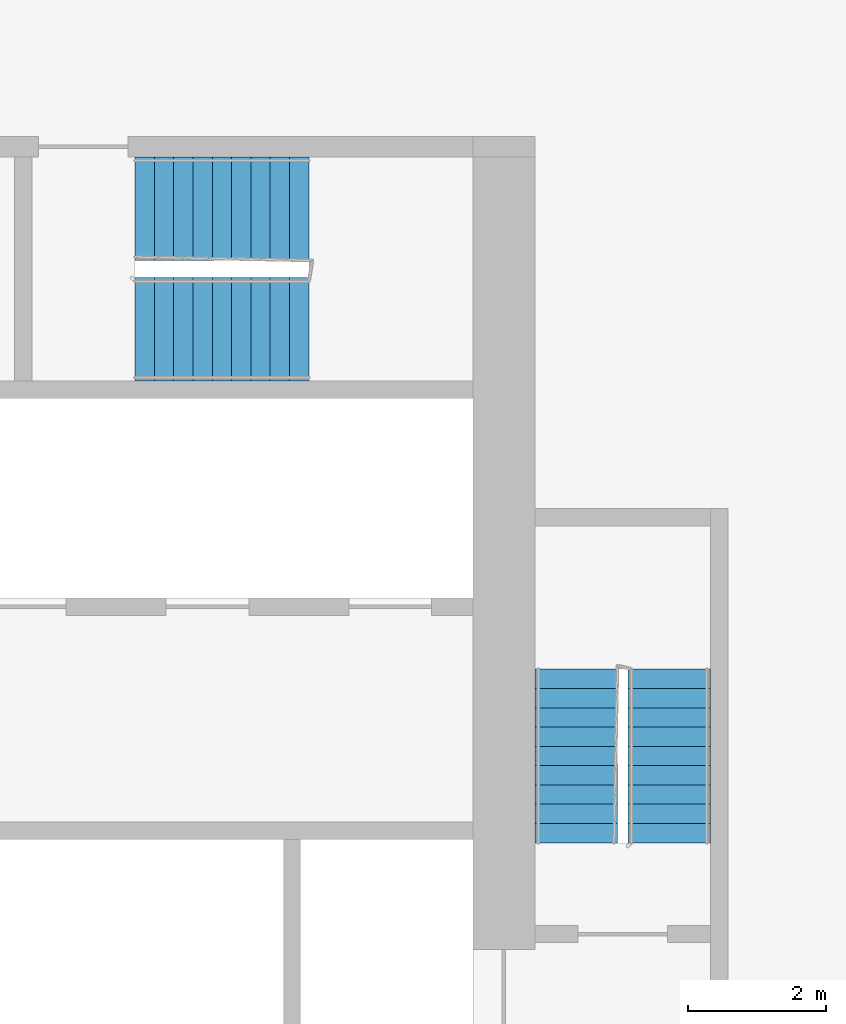
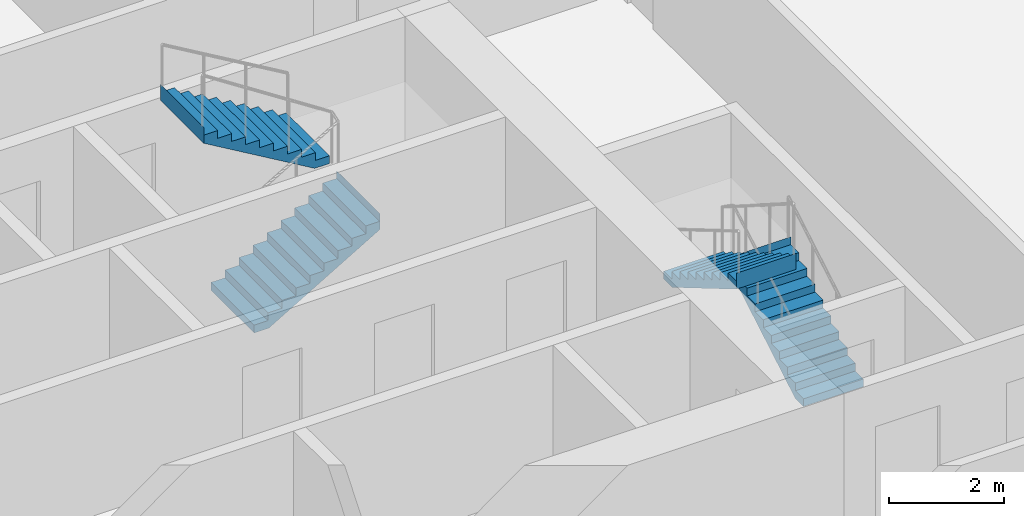
# One storey, part 11 of 12: 4 stair flights, 2 elements without a shape of their own.
"""IFC4 building model written with IfcOpenShell, lengths in metres."""

from ifc_helpers import new_model, si_unit, direction, frame, origin, place, context, subcontext, project, spatial, faceted_brep, material, type_object, element, aggregate, save


model = new_model("IFC4")

# Units and contexts
model_context = context("Model", 3, precision=1e-05, world=origin(), true_north=direction((0.0, 1.0)))
body_context = subcontext(model_context, "Body", "Model", "MODEL_VIEW")
ifc_project = project(units=[si_unit("LENGTHUNIT", "METRE"), si_unit("AREAUNIT", "SQUARE_METRE"), si_unit("VOLUMEUNIT", "CUBIC_METRE"), si_unit("PLANEANGLEUNIT", "RADIAN"), si_unit("MASSUNIT", "GRAM", prefix="KILO")], contexts=[model_context])

# Site, building, storey
site_placement = place(None, origin())
site = spatial("IfcSite", under=ifc_project, at=site_placement, CompositionType="ELEMENT")
building_placement = place(site_placement, origin())
building = spatial("IfcBuilding", under=site, at=building_placement, Name="Kajstack Hotel Tower", CompositionType="ELEMENT")
storey_placement = place(building_placement, frame((0.0, 0.0, 124.0)))
storey = spatial("IfcBuildingStorey", under=building, at=storey_placement, Name="L27", CompositionType="ELEMENT", Elevation=124.0)

# Stair, stair flights
ifc_material = material(Name="Concrete C40/50", Category="concrete")
stair_type_1 = type_object("IfcStairType", Name="Exit stair 1200", PredefinedType="HALF_TURN_STAIR", material=ifc_material)
stair_1_placement = place(storey_placement, origin())
stair_1 = element("IfcStair", 1, at=stair_1_placement, inside=storey, type_object=stair_type_1, Name="L27 stair E1", PredefinedType="HALF_TURN_STAIR")
stair_flight_type_1 = type_object("IfcStairFlightType", Name="Exit stair flight 1200", PredefinedType="STRAIGHT", material=ifc_material)
stair_flight_1_placement = place(storey_placement, frame((33.449951171875, 5.25, 0.0), z_axis=(0.0, 0.0, 1.0), x_axis=(0.0, 1.0, 0.0)))
stair_flight_1 = element("IfcStairFlight", 2, at=stair_flight_1_placement, type_object=stair_flight_type_1, Name="E1 flight 1", NumberOfRisers=10, NumberOfTreads=9, PredefinedType="STRAIGHT", RiserHeight=0.165, TreadLength=0.28, context=body_context, shape_type="Brep", body=[
    faceted_brep([(0.295654296875, -0.60009765625, 0.0), (2.5205078125, -0.60009765625, 1.31103515625), (2.5205078125, -0.60009765625, 1.64990234375), (2.52001953125, -0.60009765625, 1.64990234375), (2.52001953125, -0.60009765625, 1.485107421875), (2.239990234375, -0.60009765625, 1.485107421875), (2.239990234375, -0.60009765625, 1.320068359375), (1.9599609375, -0.60009765625, 1.320068359375), (1.9599609375, -0.60009765625, 1.155029296875), (1.679931640625, -0.60009765625, 1.155029296875), (1.679931640625, -0.60009765625, 0.989990234375), (1.39990234375, -0.60009765625, 0.989990234375), (1.39990234375, -0.60009765625, 0.824951171875), (1.1201171875, -0.60009765625, 0.824951171875), (1.1201171875, -0.60009765625, 0.659912109375), (0.840087890625, -0.60009765625, 0.659912109375), (0.840087890625, -0.60009765625, 0.4951171875), (0.56005859375, -0.60009765625, 0.4951171875), (0.56005859375, -0.60009765625, 0.330078125), (0.280029296875, -0.60009765625, 0.330078125), (0.280029296875, -0.60009765625, 0.1650390625), (-0.00048828125, -0.60009765625, 0.1650390625), (-0.00048828125, -0.60009765625, 0.0), (-0.00048828125, 0.60009765625, 0.0), (-0.00048828125, 0.60009765625, 0.1650390625), (0.280029296875, 0.60009765625, 0.1650390625), (0.280029296875, 0.60009765625, 0.330078125), (0.56005859375, 0.60009765625, 0.330078125), (0.56005859375, 0.60009765625, 0.4951171875), (0.840087890625, 0.60009765625, 0.4951171875), (0.840087890625, 0.60009765625, 0.659912109375), (1.1201171875, 0.60009765625, 0.659912109375), (1.1201171875, 0.60009765625, 0.824951171875), (1.39990234375, 0.60009765625, 0.824951171875), (1.39990234375, 0.60009765625, 0.989990234375), (1.679931640625, 0.60009765625, 0.989990234375), (1.679931640625, 0.60009765625, 1.155029296875), (1.9599609375, 0.60009765625, 1.155029296875), (1.9599609375, 0.60009765625, 1.320068359375), (2.239990234375, 0.60009765625, 1.320068359375), (2.239990234375, 0.60009765625, 1.485107421875), (2.52001953125, 0.60009765625, 1.485107421875), (2.52001953125, 0.60009765625, 1.64990234375), (2.5205078125, 0.60009765625, 1.64990234375), (2.5205078125, 0.60009765625, 1.31103515625), (0.295654296875, 0.60009765625, 0.0), (-0.00048828125, -0.300048828125, 0.1650390625), (-0.00048828125, 0.0, 0.1650390625), (-0.00048828125, 0.300048828125, 0.1650390625), (-0.00048828125, 0.300048828125, 0.0), (-0.00048828125, 0.0, 0.0), (-0.00048828125, -0.300048828125, 0.0), (0.280029296875, -0.300048828125, 0.1650390625), (0.280029296875, 0.0, 0.1650390625), (0.280029296875, 0.300048828125, 0.1650390625), (0.280029296875, -0.300048828125, 0.330078125), (0.280029296875, 0.0, 0.330078125), (0.280029296875, 0.300048828125, 0.330078125), (0.56005859375, -0.300048828125, 0.330078125), (0.56005859375, 0.0, 0.330078125), (0.56005859375, 0.300048828125, 0.330078125), (0.56005859375, -0.300048828125, 0.4951171875), (0.56005859375, 0.0, 0.4951171875), (0.56005859375, 0.300048828125, 0.4951171875), (0.840087890625, -0.300048828125, 0.4951171875), (0.840087890625, 0.0, 0.4951171875), (0.840087890625, 0.300048828125, 0.4951171875), (0.840087890625, -0.300048828125, 0.659912109375), (0.840087890625, 0.0, 0.659912109375), (0.840087890625, 0.300048828125, 0.659912109375), (1.1201171875, -0.300048828125, 0.659912109375), (1.1201171875, 0.0, 0.659912109375), (1.1201171875, 0.300048828125, 0.659912109375), (1.1201171875, -0.300048828125, 0.824951171875), (1.1201171875, 0.0, 0.824951171875), (1.1201171875, 0.300048828125, 0.824951171875), (1.39990234375, -0.300048828125, 0.824951171875), (1.39990234375, 0.0, 0.824951171875), (1.39990234375, 0.300048828125, 0.824951171875), (1.39990234375, -0.300048828125, 0.989990234375), (1.39990234375, 0.0, 0.989990234375), (1.39990234375, 0.300048828125, 0.989990234375), (1.679931640625, -0.300048828125, 0.989990234375), (1.679931640625, 0.0, 0.989990234375), (1.679931640625, 0.300048828125, 0.989990234375), (1.679931640625, -0.300048828125, 1.155029296875), (1.679931640625, 0.0, 1.155029296875), (1.679931640625, 0.300048828125, 1.155029296875), (1.9599609375, -0.300048828125, 1.155029296875), (1.9599609375, 0.0, 1.155029296875), (1.9599609375, 0.300048828125, 1.155029296875), (1.9599609375, -0.300048828125, 1.320068359375), (1.9599609375, 0.0, 1.320068359375), (1.9599609375, 0.300048828125, 1.320068359375), (2.239990234375, -0.300048828125, 1.320068359375), (2.239990234375, 0.0, 1.320068359375), (2.239990234375, 0.300048828125, 1.320068359375), (2.239990234375, -0.300048828125, 1.485107421875), (2.239990234375, 0.0, 1.485107421875), (2.239990234375, 0.300048828125, 1.485107421875), (2.52001953125, -0.300048828125, 1.485107421875), (2.52001953125, 0.0, 1.485107421875), (2.52001953125, 0.300048828125, 1.485107421875), (2.52001953125, -0.300048828125, 1.64990234375), (2.52001953125, 0.0, 1.64990234375), (2.52001953125, 0.300048828125, 1.64990234375), (2.5205078125, -0.300048828125, 1.64990234375), (2.5205078125, 0.0, 1.64990234375), (2.5205078125, 0.300048828125, 1.64990234375), (2.5205078125, -0.300048828125, 1.31103515625), (2.5205078125, 0.0, 1.31103515625), (2.5205078125, 0.300048828125, 1.31103515625), (0.295654296875, -0.300048828125, 0.0), (0.295654296875, 0.0, 0.0), (0.295654296875, 0.300048828125, 0.0)], [[[0, 1, 2, 3, 4, 5, 6, 7, 8, 9, 10, 11, 12, 13, 14, 15, 16, 17, 18, 19, 20, 21, 22]], [[23, 24, 25, 26, 27, 28, 29, 30, 31, 32, 33, 34, 35, 36, 37, 38, 39, 40, 41, 42, 43, 44, 45]], [[21, 46, 47, 48, 24, 23, 49, 50, 51, 22]], [[20, 52, 53, 54, 25, 24, 48, 47, 46, 21]], [[19, 55, 56, 57, 26, 25, 54, 53, 52, 20]], [[18, 58, 59, 60, 27, 26, 57, 56, 55, 19]], [[17, 61, 62, 63, 28, 27, 60, 59, 58, 18]], [[16, 64, 65, 66, 29, 28, 63, 62, 61, 17]], [[15, 67, 68, 69, 30, 29, 66, 65, 64, 16]], [[14, 70, 71, 72, 31, 30, 69, 68, 67, 15]], [[13, 73, 74, 75, 32, 31, 72, 71, 70, 14]], [[12, 76, 77, 78, 33, 32, 75, 74, 73, 13]], [[11, 79, 80, 81, 34, 33, 78, 77, 76, 12]], [[10, 82, 83, 84, 35, 34, 81, 80, 79, 11]], [[9, 85, 86, 87, 36, 35, 84, 83, 82, 10]], [[8, 88, 89, 90, 37, 36, 87, 86, 85, 9]], [[7, 91, 92, 93, 38, 37, 90, 89, 88, 8]], [[6, 94, 95, 96, 39, 38, 93, 92, 91, 7]], [[5, 97, 98, 99, 40, 39, 96, 95, 94, 6]], [[4, 100, 101, 102, 41, 40, 99, 98, 97, 5]], [[3, 103, 104, 105, 42, 41, 102, 101, 100, 4]], [[2, 106, 107, 108, 43, 42, 105, 104, 103, 3]], [[1, 109, 110, 111, 44, 43, 108, 107, 106, 2]], [[0, 112, 113, 114, 45, 44, 111, 110, 109, 1]], [[22, 51, 50, 49, 23, 45, 114, 113, 112, 0]]]),
])
stair_flight_2_placement = place(storey_placement, frame((32.10009765625, 7.77001953125, 1.64990234375), z_axis=(0.0, 0.0, 1.0), x_axis=(0.0, -1.0, 0.0)))
stair_flight_2 = element("IfcStairFlight", 3, at=stair_flight_2_placement, type_object=stair_flight_type_1, Name="E1 flight 2", NumberOfRisers=10, NumberOfTreads=9, PredefinedType="STRAIGHT", RiserHeight=0.165, TreadLength=0.28, context=body_context, shape_type="Brep", body=[
    faceted_brep([(0.295654296875, -0.60009765625, 0.0), (2.5205078125, -0.60009765625, 1.31103515625), (2.5205078125, -0.60009765625, 1.64990234375), (2.52001953125, -0.60009765625, 1.64990234375), (2.52001953125, -0.60009765625, 1.485107421875), (2.239990234375, -0.60009765625, 1.485107421875), (2.239990234375, -0.60009765625, 1.320068359375), (1.9599609375, -0.60009765625, 1.320068359375), (1.9599609375, -0.60009765625, 1.155029296875), (1.679931640625, -0.60009765625, 1.155029296875), (1.679931640625, -0.60009765625, 0.989990234375), (1.39990234375, -0.60009765625, 0.989990234375), (1.39990234375, -0.60009765625, 0.824951171875), (1.1201171875, -0.60009765625, 0.824951171875), (1.1201171875, -0.60009765625, 0.659912109375), (0.840087890625, -0.60009765625, 0.659912109375), (0.840087890625, -0.60009765625, 0.4951171875), (0.56005859375, -0.60009765625, 0.4951171875), (0.56005859375, -0.60009765625, 0.330078125), (0.280029296875, -0.60009765625, 0.330078125), (0.280029296875, -0.60009765625, 0.1650390625), (-0.00048828125, -0.60009765625, 0.1650390625), (-0.00048828125, -0.60009765625, 0.0), (-0.00048828125, 0.60009765625, 0.0), (-0.00048828125, 0.60009765625, 0.1650390625), (0.280029296875, 0.60009765625, 0.1650390625), (0.280029296875, 0.60009765625, 0.330078125), (0.56005859375, 0.60009765625, 0.330078125), (0.56005859375, 0.60009765625, 0.4951171875), (0.840087890625, 0.60009765625, 0.4951171875), (0.840087890625, 0.60009765625, 0.659912109375), (1.1201171875, 0.60009765625, 0.659912109375), (1.1201171875, 0.60009765625, 0.824951171875), (1.39990234375, 0.60009765625, 0.824951171875), (1.39990234375, 0.60009765625, 0.989990234375), (1.679931640625, 0.60009765625, 0.989990234375), (1.679931640625, 0.60009765625, 1.155029296875), (1.9599609375, 0.60009765625, 1.155029296875), (1.9599609375, 0.60009765625, 1.320068359375), (2.239990234375, 0.60009765625, 1.320068359375), (2.239990234375, 0.60009765625, 1.485107421875), (2.52001953125, 0.60009765625, 1.485107421875), (2.52001953125, 0.60009765625, 1.64990234375), (2.5205078125, 0.60009765625, 1.64990234375), (2.5205078125, 0.60009765625, 1.31103515625), (0.295654296875, 0.60009765625, 0.0), (-0.00048828125, -0.300048828125, 0.1650390625), (-0.00048828125, 0.0, 0.1650390625), (-0.00048828125, 0.300048828125, 0.1650390625), (-0.00048828125, 0.300048828125, 0.0), (-0.00048828125, 0.0, 0.0), (-0.00048828125, -0.300048828125, 0.0), (0.280029296875, -0.300048828125, 0.1650390625), (0.280029296875, 0.0, 0.1650390625), (0.280029296875, 0.300048828125, 0.1650390625), (0.280029296875, -0.300048828125, 0.330078125), (0.280029296875, 0.0, 0.330078125), (0.280029296875, 0.300048828125, 0.330078125), (0.56005859375, -0.300048828125, 0.330078125), (0.56005859375, 0.0, 0.330078125), (0.56005859375, 0.300048828125, 0.330078125), (0.56005859375, -0.300048828125, 0.4951171875), (0.56005859375, 0.0, 0.4951171875), (0.56005859375, 0.300048828125, 0.4951171875), (0.840087890625, -0.300048828125, 0.4951171875), (0.840087890625, 0.0, 0.4951171875), (0.840087890625, 0.300048828125, 0.4951171875), (0.840087890625, -0.300048828125, 0.659912109375), (0.840087890625, 0.0, 0.659912109375), (0.840087890625, 0.300048828125, 0.659912109375), (1.1201171875, -0.300048828125, 0.659912109375), (1.1201171875, 0.0, 0.659912109375), (1.1201171875, 0.300048828125, 0.659912109375), (1.1201171875, -0.300048828125, 0.824951171875), (1.1201171875, 0.0, 0.824951171875), (1.1201171875, 0.300048828125, 0.824951171875), (1.39990234375, -0.300048828125, 0.824951171875), (1.39990234375, 0.0, 0.824951171875), (1.39990234375, 0.300048828125, 0.824951171875), (1.39990234375, -0.300048828125, 0.989990234375), (1.39990234375, 0.0, 0.989990234375), (1.39990234375, 0.300048828125, 0.989990234375), (1.679931640625, -0.300048828125, 0.989990234375), (1.679931640625, 0.0, 0.989990234375), (1.679931640625, 0.300048828125, 0.989990234375), (1.679931640625, -0.300048828125, 1.155029296875), (1.679931640625, 0.0, 1.155029296875), (1.679931640625, 0.300048828125, 1.155029296875), (1.9599609375, -0.300048828125, 1.155029296875), (1.9599609375, 0.0, 1.155029296875), (1.9599609375, 0.300048828125, 1.155029296875), (1.9599609375, -0.300048828125, 1.320068359375), (1.9599609375, 0.0, 1.320068359375), (1.9599609375, 0.300048828125, 1.320068359375), (2.239990234375, -0.300048828125, 1.320068359375), (2.239990234375, 0.0, 1.320068359375), (2.239990234375, 0.300048828125, 1.320068359375), (2.239990234375, -0.300048828125, 1.485107421875), (2.239990234375, 0.0, 1.485107421875), (2.239990234375, 0.300048828125, 1.485107421875), (2.52001953125, -0.300048828125, 1.485107421875), (2.52001953125, 0.0, 1.485107421875), (2.52001953125, 0.300048828125, 1.485107421875), (2.52001953125, -0.300048828125, 1.64990234375), (2.52001953125, 0.0, 1.64990234375), (2.52001953125, 0.300048828125, 1.64990234375), (2.5205078125, -0.300048828125, 1.64990234375), (2.5205078125, 0.0, 1.64990234375), (2.5205078125, 0.300048828125, 1.64990234375), (2.5205078125, -0.300048828125, 1.31103515625), (2.5205078125, 0.0, 1.31103515625), (2.5205078125, 0.300048828125, 1.31103515625), (0.295654296875, -0.300048828125, 0.0), (0.295654296875, 0.0, 0.0), (0.295654296875, 0.300048828125, 0.0)], [[[0, 1, 2, 3, 4, 5, 6, 7, 8, 9, 10, 11, 12, 13, 14, 15, 16, 17, 18, 19, 20, 21, 22]], [[23, 24, 25, 26, 27, 28, 29, 30, 31, 32, 33, 34, 35, 36, 37, 38, 39, 40, 41, 42, 43, 44, 45]], [[21, 46, 47, 48, 24, 23, 49, 50, 51, 22]], [[20, 52, 53, 54, 25, 24, 48, 47, 46, 21]], [[19, 55, 56, 57, 26, 25, 54, 53, 52, 20]], [[18, 58, 59, 60, 27, 26, 57, 56, 55, 19]], [[17, 61, 62, 63, 28, 27, 60, 59, 58, 18]], [[16, 64, 65, 66, 29, 28, 63, 62, 61, 17]], [[15, 67, 68, 69, 30, 29, 66, 65, 64, 16]], [[14, 70, 71, 72, 31, 30, 69, 68, 67, 15]], [[13, 73, 74, 75, 32, 31, 72, 71, 70, 14]], [[12, 76, 77, 78, 33, 32, 75, 74, 73, 13]], [[11, 79, 80, 81, 34, 33, 78, 77, 76, 12]], [[10, 82, 83, 84, 35, 34, 81, 80, 79, 11]], [[9, 85, 86, 87, 36, 35, 84, 83, 82, 10]], [[8, 88, 89, 90, 37, 36, 87, 86, 85, 9]], [[7, 91, 92, 93, 38, 37, 90, 89, 88, 8]], [[6, 94, 95, 96, 39, 38, 93, 92, 91, 7]], [[5, 97, 98, 99, 40, 39, 96, 95, 94, 6]], [[4, 100, 101, 102, 41, 40, 99, 98, 97, 5]], [[3, 103, 104, 105, 42, 41, 102, 101, 100, 4]], [[2, 106, 107, 108, 43, 42, 105, 104, 103, 3]], [[1, 109, 110, 111, 44, 43, 108, 107, 106, 2]], [[0, 112, 113, 114, 45, 44, 111, 110, 109, 1]], [[22, 51, 50, 49, 23, 45, 114, 113, 112, 0]]]),
])
aggregate(stair_1, [stair_flight_1, stair_flight_2])

stair_type_2 = type_object("IfcStairType", Name="Exit stair 1500", PredefinedType="HALF_TURN_STAIR", material=ifc_material)
stair_2_placement = place(storey_placement, origin())
stair_2 = element("IfcStair", 4, at=stair_2_placement, inside=storey, type_object=stair_type_2, Name="L27 stair E3", PredefinedType="HALF_TURN_STAIR")
stair_flight_type_2 = type_object("IfcStairFlightType", Name="Exit stair flight 1500", PredefinedType="STRAIGHT", material=ifc_material)
stair_flight_3_placement = place(storey_placement, frame((25.699951171875, 12.699951171875, 0.0), z_axis=(0.0, 0.0, 1.0), x_axis=(1.0, 0.0, 0.0)))
stair_flight_3 = element("IfcStairFlight", 5, at=stair_flight_3_placement, type_object=stair_flight_type_2, Name="E3 flight 1", NumberOfRisers=10, NumberOfTreads=9, PredefinedType="STRAIGHT", RiserHeight=0.165, TreadLength=0.28, context=body_context, shape_type="Brep", body=[
    faceted_brep([(0.295654296875, -0.75, 0.0), (2.5205078125, -0.75, 1.31103515625), (2.5205078125, -0.75, 1.64990234375), (2.52001953125, -0.75, 1.64990234375), (2.52001953125, -0.75, 1.485107421875), (2.239990234375, -0.75, 1.485107421875), (2.239990234375, -0.75, 1.320068359375), (1.9599609375, -0.75, 1.320068359375), (1.9599609375, -0.75, 1.155029296875), (1.679931640625, -0.75, 1.155029296875), (1.679931640625, -0.75, 0.989990234375), (1.39990234375, -0.75, 0.989990234375), (1.39990234375, -0.75, 0.824951171875), (1.1201171875, -0.75, 0.824951171875), (1.1201171875, -0.75, 0.659912109375), (0.840087890625, -0.75, 0.659912109375), (0.840087890625, -0.75, 0.4951171875), (0.56005859375, -0.75, 0.4951171875), (0.56005859375, -0.75, 0.330078125), (0.280029296875, -0.75, 0.330078125), (0.280029296875, -0.75, 0.1650390625), (-0.00048828125, -0.75, 0.1650390625), (-0.00048828125, -0.75, 0.0), (-0.00048828125, 0.75, 0.0), (-0.00048828125, 0.75, 0.1650390625), (0.280029296875, 0.75, 0.1650390625), (0.280029296875, 0.75, 0.330078125), (0.56005859375, 0.75, 0.330078125), (0.56005859375, 0.75, 0.4951171875), (0.840087890625, 0.75, 0.4951171875), (0.840087890625, 0.75, 0.659912109375), (1.1201171875, 0.75, 0.659912109375), (1.1201171875, 0.75, 0.824951171875), (1.39990234375, 0.75, 0.824951171875), (1.39990234375, 0.75, 0.989990234375), (1.679931640625, 0.75, 0.989990234375), (1.679931640625, 0.75, 1.155029296875), (1.9599609375, 0.75, 1.155029296875), (1.9599609375, 0.75, 1.320068359375), (2.239990234375, 0.75, 1.320068359375), (2.239990234375, 0.75, 1.485107421875), (2.52001953125, 0.75, 1.485107421875), (2.52001953125, 0.75, 1.64990234375), (2.5205078125, 0.75, 1.64990234375), (2.5205078125, 0.75, 1.31103515625), (0.295654296875, 0.75, 0.0), (-0.00048828125, -0.375, 0.1650390625), (-0.00048828125, 0.0, 0.1650390625), (-0.00048828125, 0.375, 0.1650390625), (-0.00048828125, 0.375, 0.0), (-0.00048828125, 0.0, 0.0), (-0.00048828125, -0.375, 0.0), (0.280029296875, -0.375, 0.1650390625), (0.280029296875, 0.0, 0.1650390625), (0.280029296875, 0.375, 0.1650390625), (0.280029296875, -0.375, 0.330078125), (0.280029296875, 0.0, 0.330078125), (0.280029296875, 0.375, 0.330078125), (0.56005859375, -0.375, 0.330078125), (0.56005859375, 0.0, 0.330078125), (0.56005859375, 0.375, 0.330078125), (0.56005859375, -0.375, 0.4951171875), (0.56005859375, 0.0, 0.4951171875), (0.56005859375, 0.375, 0.4951171875), (0.840087890625, -0.375, 0.4951171875), (0.840087890625, 0.0, 0.4951171875), (0.840087890625, 0.375, 0.4951171875), (0.840087890625, -0.375, 0.659912109375), (0.840087890625, 0.0, 0.659912109375), (0.840087890625, 0.375, 0.659912109375), (1.1201171875, -0.375, 0.659912109375), (1.1201171875, 0.0, 0.659912109375), (1.1201171875, 0.375, 0.659912109375), (1.1201171875, -0.375, 0.824951171875), (1.1201171875, 0.0, 0.824951171875), (1.1201171875, 0.375, 0.824951171875), (1.39990234375, -0.375, 0.824951171875), (1.39990234375, 0.0, 0.824951171875), (1.39990234375, 0.375, 0.824951171875), (1.39990234375, -0.375, 0.989990234375), (1.39990234375, 0.0, 0.989990234375), (1.39990234375, 0.375, 0.989990234375), (1.679931640625, -0.375, 0.989990234375), (1.679931640625, 0.0, 0.989990234375), (1.679931640625, 0.375, 0.989990234375), (1.679931640625, -0.375, 1.155029296875), (1.679931640625, 0.0, 1.155029296875), (1.679931640625, 0.375, 1.155029296875), (1.9599609375, -0.375, 1.155029296875), (1.9599609375, 0.0, 1.155029296875), (1.9599609375, 0.375, 1.155029296875), (1.9599609375, -0.375, 1.320068359375), (1.9599609375, 0.0, 1.320068359375), (1.9599609375, 0.375, 1.320068359375), (2.239990234375, -0.375, 1.320068359375), (2.239990234375, 0.0, 1.320068359375), (2.239990234375, 0.375, 1.320068359375), (2.239990234375, -0.375, 1.485107421875), (2.239990234375, 0.0, 1.485107421875), (2.239990234375, 0.375, 1.485107421875), (2.52001953125, -0.375, 1.485107421875), (2.52001953125, 0.0, 1.485107421875), (2.52001953125, 0.375, 1.485107421875), (2.52001953125, -0.375, 1.64990234375), (2.52001953125, 0.0, 1.64990234375), (2.52001953125, 0.375, 1.64990234375), (2.5205078125, -0.375, 1.64990234375), (2.5205078125, 0.0, 1.64990234375), (2.5205078125, 0.375, 1.64990234375), (2.5205078125, -0.375, 1.31103515625), (2.5205078125, 0.0, 1.31103515625), (2.5205078125, 0.375, 1.31103515625), (0.295654296875, -0.375, 0.0), (0.295654296875, 0.0, 0.0), (0.295654296875, 0.375, 0.0)], [[[0, 1, 2, 3, 4, 5, 6, 7, 8, 9, 10, 11, 12, 13, 14, 15, 16, 17, 18, 19, 20, 21, 22]], [[23, 24, 25, 26, 27, 28, 29, 30, 31, 32, 33, 34, 35, 36, 37, 38, 39, 40, 41, 42, 43, 44, 45]], [[21, 46, 47, 48, 24, 23, 49, 50, 51, 22]], [[20, 52, 53, 54, 25, 24, 48, 47, 46, 21]], [[19, 55, 56, 57, 26, 25, 54, 53, 52, 20]], [[18, 58, 59, 60, 27, 26, 57, 56, 55, 19]], [[17, 61, 62, 63, 28, 27, 60, 59, 58, 18]], [[16, 64, 65, 66, 29, 28, 63, 62, 61, 17]], [[15, 67, 68, 69, 30, 29, 66, 65, 64, 16]], [[14, 70, 71, 72, 31, 30, 69, 68, 67, 15]], [[13, 73, 74, 75, 32, 31, 72, 71, 70, 14]], [[12, 76, 77, 78, 33, 32, 75, 74, 73, 13]], [[11, 79, 80, 81, 34, 33, 78, 77, 76, 12]], [[10, 82, 83, 84, 35, 34, 81, 80, 79, 11]], [[9, 85, 86, 87, 36, 35, 84, 83, 82, 10]], [[8, 88, 89, 90, 37, 36, 87, 86, 85, 9]], [[7, 91, 92, 93, 38, 37, 90, 89, 88, 8]], [[6, 94, 95, 96, 39, 38, 93, 92, 91, 7]], [[5, 97, 98, 99, 40, 39, 96, 95, 94, 6]], [[4, 100, 101, 102, 41, 40, 99, 98, 97, 5]], [[3, 103, 104, 105, 42, 41, 102, 101, 100, 4]], [[2, 106, 107, 108, 43, 42, 105, 104, 103, 3]], [[1, 109, 110, 111, 44, 43, 108, 107, 106, 2]], [[0, 112, 113, 114, 45, 44, 111, 110, 109, 1]], [[22, 51, 50, 49, 23, 45, 114, 113, 112, 0]]]),
])
stair_flight_4_placement = place(storey_placement, frame((28.219970703125, 14.449951171875, 1.64990234375), z_axis=(0.0, 0.0, 1.0), x_axis=(-1.0, 0.0, 0.0)))
stair_flight_4 = element("IfcStairFlight", 6, at=stair_flight_4_placement, type_object=stair_flight_type_2, Name="E3 flight 2", NumberOfRisers=10, NumberOfTreads=9, PredefinedType="STRAIGHT", RiserHeight=0.165, TreadLength=0.28, context=body_context, shape_type="Brep", body=[
    faceted_brep([(0.295654296875, -0.75, 0.0), (2.5205078125, -0.75, 1.31103515625), (2.5205078125, -0.75, 1.64990234375), (2.52001953125, -0.75, 1.64990234375), (2.52001953125, -0.75, 1.485107421875), (2.239990234375, -0.75, 1.485107421875), (2.239990234375, -0.75, 1.320068359375), (1.9599609375, -0.75, 1.320068359375), (1.9599609375, -0.75, 1.155029296875), (1.679931640625, -0.75, 1.155029296875), (1.679931640625, -0.75, 0.989990234375), (1.39990234375, -0.75, 0.989990234375), (1.39990234375, -0.75, 0.824951171875), (1.1201171875, -0.75, 0.824951171875), (1.1201171875, -0.75, 0.659912109375), (0.840087890625, -0.75, 0.659912109375), (0.840087890625, -0.75, 0.4951171875), (0.56005859375, -0.75, 0.4951171875), (0.56005859375, -0.75, 0.330078125), (0.280029296875, -0.75, 0.330078125), (0.280029296875, -0.75, 0.1650390625), (-0.00048828125, -0.75, 0.1650390625), (-0.00048828125, -0.75, 0.0), (-0.00048828125, 0.75, 0.0), (-0.00048828125, 0.75, 0.1650390625), (0.280029296875, 0.75, 0.1650390625), (0.280029296875, 0.75, 0.330078125), (0.56005859375, 0.75, 0.330078125), (0.56005859375, 0.75, 0.4951171875), (0.840087890625, 0.75, 0.4951171875), (0.840087890625, 0.75, 0.659912109375), (1.1201171875, 0.75, 0.659912109375), (1.1201171875, 0.75, 0.824951171875), (1.39990234375, 0.75, 0.824951171875), (1.39990234375, 0.75, 0.989990234375), (1.679931640625, 0.75, 0.989990234375), (1.679931640625, 0.75, 1.155029296875), (1.9599609375, 0.75, 1.155029296875), (1.9599609375, 0.75, 1.320068359375), (2.239990234375, 0.75, 1.320068359375), (2.239990234375, 0.75, 1.485107421875), (2.52001953125, 0.75, 1.485107421875), (2.52001953125, 0.75, 1.64990234375), (2.5205078125, 0.75, 1.64990234375), (2.5205078125, 0.75, 1.31103515625), (0.295654296875, 0.75, 0.0), (-0.00048828125, -0.375, 0.1650390625), (-0.00048828125, 0.0, 0.1650390625), (-0.00048828125, 0.375, 0.1650390625), (-0.00048828125, 0.375, 0.0), (-0.00048828125, 0.0, 0.0), (-0.00048828125, -0.375, 0.0), (0.280029296875, -0.375, 0.1650390625), (0.280029296875, 0.0, 0.1650390625), (0.280029296875, 0.375, 0.1650390625), (0.280029296875, -0.375, 0.330078125), (0.280029296875, 0.0, 0.330078125), (0.280029296875, 0.375, 0.330078125), (0.56005859375, -0.375, 0.330078125), (0.56005859375, 0.0, 0.330078125), (0.56005859375, 0.375, 0.330078125), (0.56005859375, -0.375, 0.4951171875), (0.56005859375, 0.0, 0.4951171875), (0.56005859375, 0.375, 0.4951171875), (0.840087890625, -0.375, 0.4951171875), (0.840087890625, 0.0, 0.4951171875), (0.840087890625, 0.375, 0.4951171875), (0.840087890625, -0.375, 0.659912109375), (0.840087890625, 0.0, 0.659912109375), (0.840087890625, 0.375, 0.659912109375), (1.1201171875, -0.375, 0.659912109375), (1.1201171875, 0.0, 0.659912109375), (1.1201171875, 0.375, 0.659912109375), (1.1201171875, -0.375, 0.824951171875), (1.1201171875, 0.0, 0.824951171875), (1.1201171875, 0.375, 0.824951171875), (1.39990234375, -0.375, 0.824951171875), (1.39990234375, 0.0, 0.824951171875), (1.39990234375, 0.375, 0.824951171875), (1.39990234375, -0.375, 0.989990234375), (1.39990234375, 0.0, 0.989990234375), (1.39990234375, 0.375, 0.989990234375), (1.679931640625, -0.375, 0.989990234375), (1.679931640625, 0.0, 0.989990234375), (1.679931640625, 0.375, 0.989990234375), (1.679931640625, -0.375, 1.155029296875), (1.679931640625, 0.0, 1.155029296875), (1.679931640625, 0.375, 1.155029296875), (1.9599609375, -0.375, 1.155029296875), (1.9599609375, 0.0, 1.155029296875), (1.9599609375, 0.375, 1.155029296875), (1.9599609375, -0.375, 1.320068359375), (1.9599609375, 0.0, 1.320068359375), (1.9599609375, 0.375, 1.320068359375), (2.239990234375, -0.375, 1.320068359375), (2.239990234375, 0.0, 1.320068359375), (2.239990234375, 0.375, 1.320068359375), (2.239990234375, -0.375, 1.485107421875), (2.239990234375, 0.0, 1.485107421875), (2.239990234375, 0.375, 1.485107421875), (2.52001953125, -0.375, 1.485107421875), (2.52001953125, 0.0, 1.485107421875), (2.52001953125, 0.375, 1.485107421875), (2.52001953125, -0.375, 1.64990234375), (2.52001953125, 0.0, 1.64990234375), (2.52001953125, 0.375, 1.64990234375), (2.5205078125, -0.375, 1.64990234375), (2.5205078125, 0.0, 1.64990234375), (2.5205078125, 0.375, 1.64990234375), (2.5205078125, -0.375, 1.31103515625), (2.5205078125, 0.0, 1.31103515625), (2.5205078125, 0.375, 1.31103515625), (0.295654296875, -0.375, 0.0), (0.295654296875, 0.0, 0.0), (0.295654296875, 0.375, 0.0)], [[[0, 1, 2, 3, 4, 5, 6, 7, 8, 9, 10, 11, 12, 13, 14, 15, 16, 17, 18, 19, 20, 21, 22]], [[23, 24, 25, 26, 27, 28, 29, 30, 31, 32, 33, 34, 35, 36, 37, 38, 39, 40, 41, 42, 43, 44, 45]], [[21, 46, 47, 48, 24, 23, 49, 50, 51, 22]], [[20, 52, 53, 54, 25, 24, 48, 47, 46, 21]], [[19, 55, 56, 57, 26, 25, 54, 53, 52, 20]], [[18, 58, 59, 60, 27, 26, 57, 56, 55, 19]], [[17, 61, 62, 63, 28, 27, 60, 59, 58, 18]], [[16, 64, 65, 66, 29, 28, 63, 62, 61, 17]], [[15, 67, 68, 69, 30, 29, 66, 65, 64, 16]], [[14, 70, 71, 72, 31, 30, 69, 68, 67, 15]], [[13, 73, 74, 75, 32, 31, 72, 71, 70, 14]], [[12, 76, 77, 78, 33, 32, 75, 74, 73, 13]], [[11, 79, 80, 81, 34, 33, 78, 77, 76, 12]], [[10, 82, 83, 84, 35, 34, 81, 80, 79, 11]], [[9, 85, 86, 87, 36, 35, 84, 83, 82, 10]], [[8, 88, 89, 90, 37, 36, 87, 86, 85, 9]], [[7, 91, 92, 93, 38, 37, 90, 89, 88, 8]], [[6, 94, 95, 96, 39, 38, 93, 92, 91, 7]], [[5, 97, 98, 99, 40, 39, 96, 95, 94, 6]], [[4, 100, 101, 102, 41, 40, 99, 98, 97, 5]], [[3, 103, 104, 105, 42, 41, 102, 101, 100, 4]], [[2, 106, 107, 108, 43, 42, 105, 104, 103, 3]], [[1, 109, 110, 111, 44, 43, 108, 107, 106, 2]], [[0, 112, 113, 114, 45, 44, 111, 110, 109, 1]], [[22, 51, 50, 49, 23, 45, 114, 113, 112, 0]]]),
])
aggregate(stair_2, [stair_flight_3, stair_flight_4])

save(model, "model.ifc")
